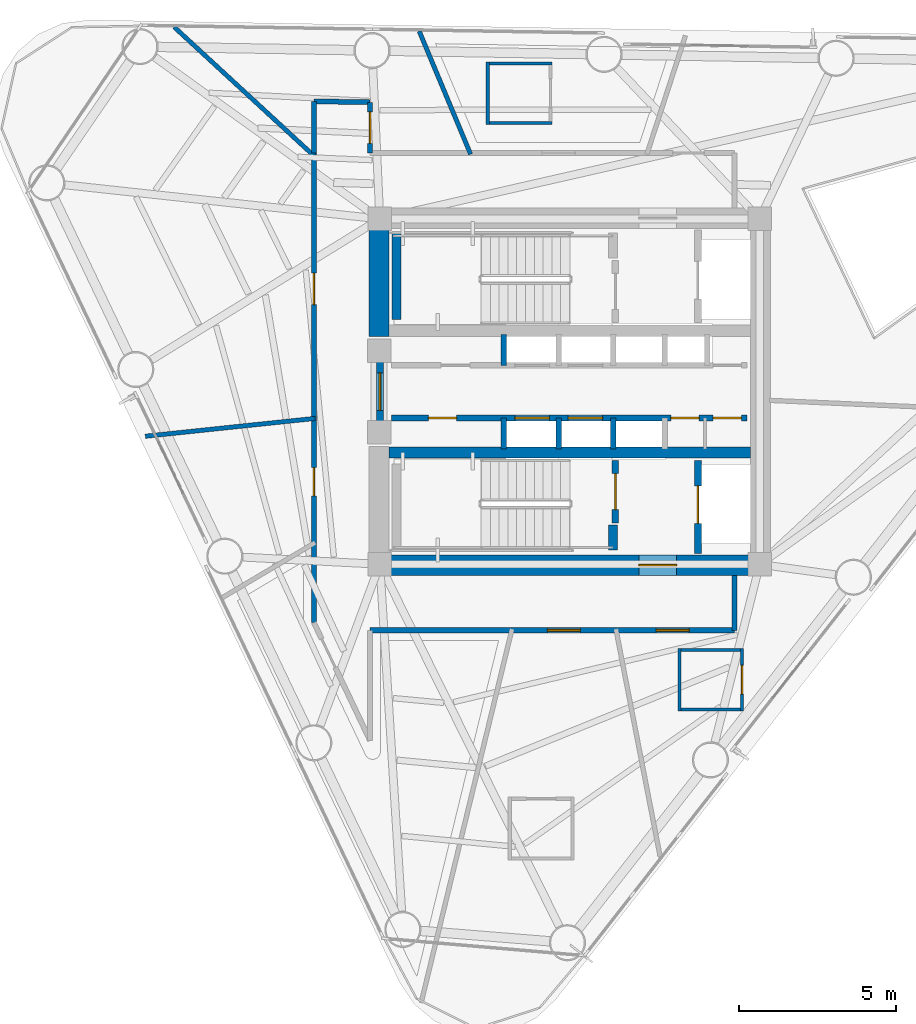
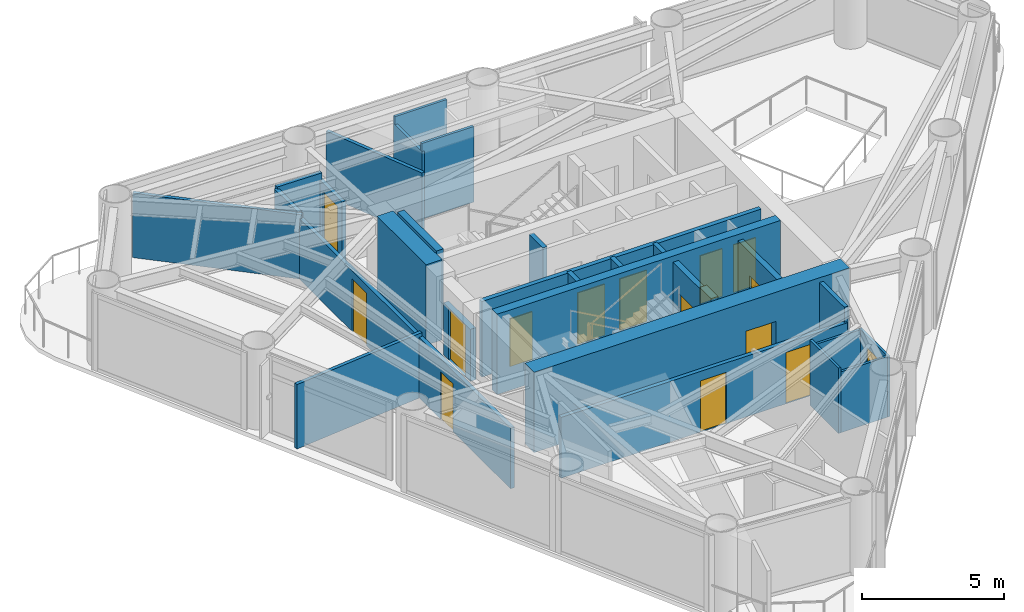
# One storey, part 5 of 9: 29 walls, 15 doors, 15 openings.
"""IFC4 building model written with IfcOpenShell, lengths in metres."""

from ifc_helpers import new_model, si_unit, direction, frame, frame_2d, origin, place, context, subcontext, project, spatial, rectangle, extrude, material, layer, layer_set, type_object, element, fill, save


model = new_model("IFC4")

# Units and contexts
model_context = context("Model", 3, precision=1e-05, world=origin(), true_north=direction((0.0, 1.0)))
body_context = subcontext(model_context, "Body", "Model", "MODEL_VIEW")
ifc_project = project(units=[si_unit("LENGTHUNIT", "METRE"), si_unit("AREAUNIT", "SQUARE_METRE"), si_unit("VOLUMEUNIT", "CUBIC_METRE"), si_unit("PLANEANGLEUNIT", "RADIAN"), si_unit("MASSUNIT", "GRAM", prefix="KILO")], contexts=[model_context])

# Site, building, storey
site_placement = place(None, origin())
site = spatial("IfcSite", under=ifc_project, at=site_placement, CompositionType="ELEMENT")
building_placement = place(site_placement, origin())
building = spatial("IfcBuilding", under=site, at=building_placement, Name="Yunling Apex Tower", CompositionType="ELEMENT")
storey_placement = place(building_placement, frame((0.0, 0.0, 212.14990234375)))
storey = spatial("IfcBuildingStorey", under=building, at=storey_placement, Name="L52", CompositionType="ELEMENT", Elevation=212.14990234375)

# Wall, opening, door
ifc_material_1 = material(Name="Concrete C50", Category="concrete")
ifc_layer_1 = layer(ifc_material_1, 0.64990234375)
ifc_layer_set_1 = layer_set([ifc_layer_1], Name="Concrete C50")
wall_type_1 = type_object("IfcWallType", Name="WL-COR-2", PredefinedType="SHEAR", material=ifc_layer_set_1)
wall_1_placement = place(storey_placement, frame((-6.39990234375, -5.52490234375, 0.0), z_axis=(0.0, 0.0, 1.0), x_axis=(1.0, 0.0, 0.0)))
wall_1 = element("IfcWall", 1, at=wall_1_placement, inside=storey, type_object=wall_type_1, Name="L52 South Core Shear Wall", PredefinedType="SHEAR", context=body_context, shape_type="SweptSolid", body=[
    extrude(rectangle(XDim=12.7998046875, YDim=0.64990234375, at=frame_2d((6.39990234375, 0.0))), origin(), (0.0, 0.0, 1.0), 3.4501953125),
])
opening_1_placement = place(wall_1_placement, frame((8.60009765625, 0.0, 0.0)))
opening_1 = element("IfcOpeningElement", 2, at=opening_1_placement, cuts=wall_1, Name="Opening DR-FFL-1", PredefinedType="OPENING", context=body_context, shape_type="SweptSolid", body=[
    extrude(rectangle(XDim=1.199951171875, YDim=2.199951171875, at=frame_2d((0.60009765625, 1.10009765625))), frame((0.0, 0.3349609375, 0.0), z_axis=(0.0, -1.0, 0.0), x_axis=(1.0, 0.0, 0.0)), (0.0, 0.0, 1.0), 0.669921875),
])
ifc_material_2 = material(Name="Steel Q355B", Category="steel")
door_type_1 = type_object("IfcDoorType", Name="DR-FFL-1", OperationType="NOTDEFINED", PredefinedType="DOOR", material=ifc_material_2)
door_1_placement = place(opening_1_placement, origin())
door_1 = element("IfcDoor", 3, at=door_1_placement, inside=storey, type_object=door_type_1, Name="L52 South Firefighting Lobby Door", OperationType="SINGLE_SWING_RIGHT", OverallHeight=2.199951171875, OverallWidth=1.199951171875, PredefinedType="DOOR", context=body_context, shape_type="SweptSolid", body=[
    extrude(rectangle(XDim=1.199951171875, YDim=2.199951171875, at=frame_2d((0.60009765625, 1.10009765625))), frame((0.0, 0.02490234375, 0.0), z_axis=(0.0, -1.0, 0.0), x_axis=(1.0, 0.0, 0.0)), (0.0, 0.0, 1.0), 0.050048828125),
])
fill(opening_1, door_1)

# Walls
wall_2_placement = place(storey_placement, frame((-6.074951171875, 1.75, 0.0), z_axis=(0.0, 0.0, 1.0), x_axis=(0.0, 1.0, 0.0)))
element("IfcWall", 4, at=wall_2_placement, inside=storey, type_object=wall_type_1, Name="L52 West-North Core Shear Wall", PredefinedType="SHEAR", context=body_context, shape_type="SweptSolid", body=[
    extrude(rectangle(XDim=3.449951171875, YDim=0.64990234375, at=frame_2d((1.72509765625, 0.0))), origin(), (0.0, 0.0, 1.0), 3.4501953125),
])
ifc_material_3 = material(Name="Concrete C40", Category="concrete")
ifc_layer_2 = layer(ifc_material_3, 0.360107421875)
ifc_layer_set_2 = layer_set([ifc_layer_2], Name="Concrete C40")
wall_type_2 = type_object("IfcWallType", Name="WL-COR-4", PredefinedType="SHEAR", material=ifc_layer_set_2)
wall_3_placement = place(storey_placement, frame((-5.75, -1.93994140625, 0.0), z_axis=(0.0, 0.0, 1.0), x_axis=(1.0, 0.0, 0.0)))
element("IfcWall", 5, at=wall_3_placement, inside=storey, type_object=wall_type_2, Name="L52 South Internal Core Shear Wall", PredefinedType="SHEAR", context=body_context, shape_type="SweptSolid", body=[
    extrude(rectangle(XDim=11.5, YDim=0.360107421875, at=frame_2d((5.75, 0.0))), origin(), (0.0, 0.0, 1.0), 3.4501953125),
])
ifc_layer_3 = layer(ifc_material_3, 0.280029296875)
ifc_layer_set_3 = layer_set([ifc_layer_3], Name="Concrete C40")
wall_type_3 = type_object("IfcWallType", Name="WL-COR-8", PredefinedType="SHEAR", material=ifc_layer_set_3)
wall_4_placement = place(storey_placement, frame((-5.52001953125, 2.300048828125, 0.0), z_axis=(0.0, 0.0, 1.0), x_axis=(0.0, 1.0, 0.0)))
element("IfcWall", 6, at=wall_4_placement, inside=storey, type_object=wall_type_3, Name="L52 ST-1 West Landing Bearing Wall", PredefinedType="SHEAR", context=body_context, shape_type="SweptSolid", body=[
    extrude(rectangle(XDim=2.75, YDim=0.280029296875, at=frame_2d((1.375, 0.0))), origin(), (0.0, 0.0, 1.0), 3.4501953125),
])
wall_5_placement = place(storey_placement, frame((1.3798828125, -5.050048828125, 0.0), z_axis=(0.0, 0.0, 1.0), x_axis=(0.0, 1.0, 0.0)))
element("IfcWall", 7, at=wall_5_placement, inside=storey, type_object=wall_type_3, Name="L52 ST-2 East Landing Bearing Pier", PredefinedType="SHEAR", context=body_context, shape_type="SweptSolid", body=[
    extrude(rectangle(XDim=0.800048828125, YDim=0.280029296875, at=frame_2d((0.39990234375, 0.0))), origin(), (0.0, 0.0, 1.0), 3.4501953125),
])

# Wall, openings, doors
ifc_material_4 = material(Name="Gypsum board acoustic partition")
ifc_layer_4 = layer(ifc_material_4, 0.159912109375)
ifc_layer_set_4 = layer_set([ifc_layer_4], Name="Gypsum board acoustic partition")
wall_type_4 = type_object("IfcWallType", Name="WL-PRT-1", PredefinedType="PARTITIONING", material=ifc_layer_set_4)
wall_6_placement = place(storey_placement, frame((-8.14990234375, -7.35546875, 0.0), z_axis=(0.0, 0.0, 1.0), x_axis=(0.0, 1.0, 0.0)))
wall_6 = element("IfcWall", 8, at=wall_6_placement, inside=storey, type_object=wall_type_4, Name="WL-CORR-L52-02", PredefinedType="PARTITIONING", context=body_context, shape_type="SweptSolid", body=[
    extrude(rectangle(XDim=14.95556640625, YDim=0.159912109375, at=frame_2d((7.477783203125, 0.0))), origin(), (0.0, 0.0, 1.0), 2.60498046875),
])
opening_2_placement = place(wall_6_placement, frame((4.0341796875, 0.0, 0.0)))
opening_2 = element("IfcOpeningElement", 9, at=opening_2_placement, cuts=wall_6, Name="Opening DR-SHF-1", PredefinedType="OPENING", context=body_context, shape_type="SweptSolid", body=[
    extrude(rectangle(XDim=0.89990234375, YDim=2.050048828125, at=frame_2d((0.449951171875, 1.02490234375))), frame((0.0, 0.08984375, 0.0), z_axis=(0.0, -1.0, 0.0), x_axis=(1.0, 0.0, 0.0)), (0.0, 0.0, 1.0), 0.179931640625),
])
opening_3_placement = place(wall_6_placement, frame((10.129150390625, 0.0, 0.0)))
opening_3 = element("IfcOpeningElement", 10, at=opening_3_placement, cuts=wall_6, Name="Opening DR-OFF-1", PredefinedType="OPENING", context=body_context, shape_type="SweptSolid", body=[
    extrude(rectangle(XDim=1.0, YDim=2.25, at=frame_2d((0.5, 1.125))), frame((0.0, 0.08984375, 0.0), z_axis=(0.0, -1.0, 0.0), x_axis=(1.0, 0.0, 0.0)), (0.0, 0.0, 1.0), 0.179931640625),
])
ifc_material_5 = material(Name="Bronze anodised aluminium", Category="aluminium")
door_type_2 = type_object("IfcDoorType", Name="DR-OFF-1", OperationType="NOTDEFINED", PredefinedType="DOOR", material=ifc_material_5)
door_2_placement = place(opening_3_placement, origin())
door_2 = element("IfcDoor", 11, at=door_2_placement, inside=storey, type_object=door_type_2, Name="L52 Club Lounge Door", OperationType="SINGLE_SWING_RIGHT", OverallHeight=2.25, OverallWidth=1.0, PredefinedType="DOOR", context=body_context, shape_type="SweptSolid", body=[
    extrude(rectangle(XDim=1.0, YDim=2.25, at=frame_2d((0.5, 1.125))), frame((0.0, 0.02490234375, 0.0), z_axis=(0.0, -1.0, 0.0), x_axis=(1.0, 0.0, 0.0)), (0.0, 0.0, 1.0), 0.050048828125),
])
fill(opening_3, door_2)
door_type_3 = type_object("IfcDoorType", Name="DR-SHF-1", OperationType="NOTDEFINED", PredefinedType="DOOR", material=ifc_material_2)
door_3_placement = place(opening_2_placement, origin())
door_3 = element("IfcDoor", 12, at=door_3_placement, inside=storey, type_object=door_type_3, Name="L52 Housekeeping Room Door", OperationType="SINGLE_SWING_LEFT", OverallHeight=2.050048828125, OverallWidth=0.89990234375, PredefinedType="DOOR", context=body_context, shape_type="SweptSolid", body=[
    extrude(rectangle(XDim=0.89990234375, YDim=2.050048828125, at=frame_2d((0.449951171875, 1.02490234375))), frame((0.0, 0.02490234375, 0.0), z_axis=(0.0, -1.0, 0.0), x_axis=(1.0, 0.0, 0.0)), (0.0, 0.0, 1.0), 0.050048828125),
])
fill(opening_2, door_3)

# Walls
wall_7_placement = place(storey_placement, frame((-8.14990234375, 7.60009765625, 0.0), z_axis=(0.0, 0.0, 1.0), x_axis=(0.0, 1.0, 0.0)))
element("IfcWall", 13, at=wall_7_placement, inside=storey, type_object=wall_type_4, Name="WL-CORR-L52-03", PredefinedType="PARTITIONING", context=body_context, shape_type="SweptSolid", body=[
    extrude(rectangle(XDim=1.646240234375, YDim=0.159912109375, at=frame_2d((0.8232421875, 0.0))), origin(), (0.0, 0.0, 1.0), 2.80517578125),
])
wall_8_placement = place(storey_placement, frame((-8.14990234375, 9.246337890625, 0.0), z_axis=(0.0, 0.0, 1.0), x_axis=(0.999859277964, -0.016775704705, 0.0)))
element("IfcWall", 14, at=wall_8_placement, inside=storey, type_object=wall_type_4, Name="WL-CORR-L52-04", PredefinedType="PARTITIONING", context=body_context, shape_type="SweptSolid", body=[
    extrude(rectangle(XDim=1.7900390625, YDim=0.159912109375, at=frame_2d((0.89501953125, 0.0))), origin(), (0.0, 0.0, 1.0), 2.905029296875),
])

# Wall, opening, door
wall_9_placement = place(storey_placement, frame((-6.360107421875, 9.21630859375, 0.0), z_axis=(0.0, 0.0, 1.0), x_axis=(0.0, -1.0, 0.0)))
wall_9 = element("IfcWall", 15, at=wall_9_placement, inside=storey, type_object=wall_type_4, Name="WL-CORR-L52-05", PredefinedType="PARTITIONING", context=body_context, shape_type="SweptSolid", body=[
    extrude(rectangle(XDim=1.6162109375, YDim=0.159912109375, at=frame_2d((0.80810546875, 0.0))), origin(), (0.0, 0.0, 1.0), 2.60498046875),
])
opening_4_placement = place(wall_9_placement, frame((0.30810546875, 0.0, 0.0)))
opening_4 = element("IfcOpeningElement", 16, at=opening_4_placement, cuts=wall_9, Name="Opening DR-OFF-1", PredefinedType="OPENING", context=body_context, shape_type="SweptSolid", body=[
    extrude(rectangle(XDim=1.0, YDim=2.25, at=frame_2d((0.5, 1.125))), frame((0.0, 0.08984375, 0.0), z_axis=(0.0, -1.0, 0.0), x_axis=(1.0, 0.0, 0.0)), (0.0, 0.0, 1.0), 0.179931640625),
])
door_4_placement = place(opening_4_placement, origin())
door_4 = element("IfcDoor", 17, at=door_4_placement, inside=storey, type_object=door_type_2, Name="L52 Club Lounge Door", OperationType="SINGLE_SWING_LEFT", OverallHeight=2.25, OverallWidth=1.0, PredefinedType="DOOR", context=body_context, shape_type="SweptSolid", body=[
    extrude(rectangle(XDim=1.0, YDim=2.25, at=frame_2d((0.5, 1.125))), frame((0.0, 0.02490234375, 0.0), z_axis=(0.0, -1.0, 0.0), x_axis=(1.0, 0.0, 0.0)), (0.0, 0.0, 1.0), 0.050048828125),
])
fill(opening_4, door_4)

# Wall
wall_10_placement = place(storey_placement, frame((5.25, -5.85009765625, 0.0), z_axis=(0.0, 0.0, 1.0), x_axis=(0.0, -1.0, 0.0)))
element("IfcWall", 18, at=wall_10_placement, inside=storey, type_object=wall_type_4, Name="WL-CORR-L52-08", PredefinedType="PARTITIONING", context=body_context, shape_type="SweptSolid", body=[
    extrude(rectangle(XDim=1.75, YDim=0.159912109375, at=frame_2d((0.875, 0.0))), origin(), (0.0, 0.0, 1.0), 3.25),
])

# Wall, openings, doors
wall_11_placement = place(storey_placement, frame((5.25, -7.60009765625, 0.0), z_axis=(0.0, 0.0, 1.0), x_axis=(-1.0, 0.0, 0.0)))
wall_11 = element("IfcWall", 19, at=wall_11_placement, inside=storey, type_object=wall_type_4, Name="WL-CORR-L52-09", PredefinedType="PARTITIONING", context=body_context, shape_type="SweptSolid", body=[
    extrude(rectangle(XDim=11.610107421875, YDim=0.159912109375, at=frame_2d((5.80517578125, 0.0))), origin(), (0.0, 0.0, 1.0), 2.60498046875),
])
opening_5_placement = place(wall_11_placement, frame((1.447021484375, 0.0, 0.0)))
opening_5 = element("IfcOpeningElement", 20, at=opening_5_placement, cuts=wall_11, Name="Opening DR-FL-1", PredefinedType="OPENING", context=body_context, shape_type="SweptSolid", body=[
    extrude(rectangle(XDim=1.050048828125, YDim=2.199951171875, at=frame_2d((0.52490234375, 1.10009765625))), frame((0.0, 0.08984375, 0.0), z_axis=(0.0, -1.0, 0.0), x_axis=(1.0, 0.0, 0.0)), (0.0, 0.0, 1.0), 0.179931640625),
])
opening_6_placement = place(wall_11_placement, frame((4.91162109375, 0.0, 0.0)))
opening_6 = element("IfcOpeningElement", 21, at=opening_6_placement, cuts=wall_11, Name="Opening DR-FL-1", PredefinedType="OPENING", context=body_context, shape_type="SweptSolid", body=[
    extrude(rectangle(XDim=1.050048828125, YDim=2.199951171875, at=frame_2d((0.52490234375, 1.10009765625))), frame((0.0, 0.08984375, 0.0), z_axis=(0.0, -1.0, 0.0), x_axis=(1.0, 0.0, 0.0)), (0.0, 0.0, 1.0), 0.179931640625),
])
ifc_material_6 = material(Name="Timber fire-rated leaf", Category="wood")
door_type_4 = type_object("IfcDoorType", Name="DR-FL-1", OperationType="NOTDEFINED", PredefinedType="DOOR", material=ifc_material_6)
door_5_placement = place(opening_5_placement, origin())
door_5 = element("IfcDoor", 22, at=door_5_placement, inside=storey, type_object=door_type_4, Name="L52 Hotel Suite Door", OperationType="SINGLE_SWING_RIGHT", OverallHeight=2.199951171875, OverallWidth=1.050048828125, PredefinedType="DOOR", context=body_context, shape_type="SweptSolid", body=[
    extrude(rectangle(XDim=1.050048828125, YDim=2.199951171875, at=frame_2d((0.52490234375, 1.10009765625))), frame((0.0, 0.02490234375, 0.0), z_axis=(0.0, -1.0, 0.0), x_axis=(1.0, 0.0, 0.0)), (0.0, 0.0, 1.0), 0.050048828125),
])
fill(opening_5, door_5)
door_6_placement = place(opening_6_placement, origin())
door_6 = element("IfcDoor", 23, at=door_6_placement, inside=storey, type_object=door_type_4, Name="L52 Hotel Suite Door", OperationType="SINGLE_SWING_LEFT", OverallHeight=2.199951171875, OverallWidth=1.050048828125, PredefinedType="DOOR", context=body_context, shape_type="SweptSolid", body=[
    extrude(rectangle(XDim=1.050048828125, YDim=2.199951171875, at=frame_2d((0.52490234375, 1.10009765625))), frame((0.0, 0.02490234375, 0.0), z_axis=(0.0, -1.0, 0.0), x_axis=(1.0, 0.0, 0.0)), (0.0, 0.0, 1.0), 0.050048828125),
])
fill(opening_6, door_6)

# Walls
ifc_layer_5 = layer(ifc_material_4, 0.139892578125)
ifc_layer_set_5 = layer_set([ifc_layer_5], Name="Gypsum board acoustic partition")
wall_type_5 = type_object("IfcWallType", Name="WL-PRT-2", PredefinedType="PARTITIONING", material=ifc_layer_set_5)
wall_12_placement = place(storey_placement, frame((-3.1572265625, 7.56005859375, 0.0), z_axis=(0.0, 0.0, 1.0), x_axis=(-0.38535788012, 0.922767199368, 0.0)))
element("IfcWall", 24, at=wall_12_placement, inside=storey, type_object=wall_type_5, Name="WL-RAD-L52-03", PredefinedType="PARTITIONING", context=body_context, shape_type="SweptSolid", body=[
    extrude(rectangle(XDim=4.24853515625, YDim=0.139892578125, at=frame_2d((2.124267578125, 0.0))), origin(), (0.0, 0.0, 1.0), 2.76513671875),
])
wall_13_placement = place(storey_placement, frame((-8.110107421875, 7.47509765625, 0.0), z_axis=(0.0, 0.0, 1.0), x_axis=(-0.735323159751, 0.67771664487, 0.0)))
element("IfcWall", 25, at=wall_13_placement, inside=storey, type_object=wall_type_5, Name="WL-RAD-L52-04", PredefinedType="PARTITIONING", context=body_context, shape_type="SweptSolid", body=[
    extrude(rectangle(XDim=6.102783203125, YDim=0.139892578125, at=frame_2d((3.05126953125, 0.0))), origin(), (0.0, 0.0, 1.0), 2.76513671875),
])
wall_14_placement = place(storey_placement, frame((-8.110107421875, -0.852294921875, 0.0), z_axis=(0.0, 0.0, 1.0), x_axis=(-0.994517501458, -0.104570260086, 0.0)))
element("IfcWall", 26, at=wall_14_placement, inside=storey, type_object=wall_type_5, Name="WL-RAD-L52-05", PredefinedType="PARTITIONING", context=body_context, shape_type="SweptSolid", body=[
    extrude(rectangle(XDim=5.4375, YDim=0.139892578125, at=frame_2d((2.71875, 0.0))), origin(), (0.0, 0.0, 1.0), 2.76513671875),
])
ifc_layer_6 = layer(ifc_material_4, 0.10009765625)
ifc_layer_set_6 = layer_set([ifc_layer_6], Name="Gypsum board acoustic partition")
wall_type_6 = type_object("IfcWallType", Name="WL-PRT-4", PredefinedType="PARTITIONING", material=ifc_layer_set_6)
for number, where, z_axis, x_axis, name in (
    (27, (3.43994140625, -8.22802734375, 0.0), (0.0, 0.0, 1.0), (1.0, 0.0, 0.0), "WL-ENS-L52-4N"),
    (28, (5.5400390625, -10.1279296875, 0.0), (0.0, 0.0, 1.0), (-1.0, 0.0, 0.0), "WL-ENS-L52-4S"),
):
    element("IfcWall", number, at=place(storey_placement, frame(where, z_axis=z_axis, x_axis=x_axis)), inside=storey, type_object=wall_type_6, Name=name, PredefinedType="PARTITIONING", context=body_context, shape_type="SweptSolid", body=[
        extrude(rectangle(XDim=2.10009765625, YDim=0.10009765625, at=frame_2d((1.050048828125, 0.0))), origin(), (0.0, 0.0, 1.0), 2.60498046875),
    ])

# Wall, opening, door
wall_15_placement = place(storey_placement, frame((5.489990234375, -8.177978515625, 0.0), z_axis=(0.0, 0.0, 1.0), x_axis=(0.0, -1.0, 0.0)))
wall_15 = element("IfcWall", 29, at=wall_15_placement, inside=storey, type_object=wall_type_6, Name="WL-ENS-L52-4E", PredefinedType="PARTITIONING", context=body_context, shape_type="SweptSolid", body=[
    extrude(rectangle(XDim=2.0, YDim=0.10009765625, at=frame_2d((1.0, 0.0))), origin(), (0.0, 0.0, 1.0), 2.60498046875),
])
opening_7_placement = place(wall_15_placement, frame((0.5400390625, 0.0, 0.0)))
opening_7 = element("IfcOpeningElement", 30, at=opening_7_placement, cuts=wall_15, Name="Opening DR-WC-1", PredefinedType="OPENING", context=body_context, shape_type="SweptSolid", body=[
    extrude(rectangle(XDim=0.919921875, YDim=2.10009765625, at=frame_2d((0.4599609375, 1.050048828125))), frame((0.0, 0.06005859375, 0.0), z_axis=(0.0, -1.0, 0.0), x_axis=(1.0, 0.0, 0.0)), (0.0, 0.0, 1.0), 0.1201171875),
])
ifc_material_7 = material(Name="Timber moisture-resistant leaf", Category="wood")
door_type_5 = type_object("IfcDoorType", Name="DR-WC-1", OperationType="NOTDEFINED", PredefinedType="DOOR", material=ifc_material_7)
door_7_placement = place(opening_7_placement, origin())
door_7 = element("IfcDoor", 31, at=door_7_placement, inside=storey, type_object=door_type_5, Name="L52 En-Suite Door", OperationType="SINGLE_SWING_RIGHT", OverallHeight=2.10009765625, OverallWidth=0.919921875, PredefinedType="DOOR", context=body_context, shape_type="SweptSolid", body=[
    extrude(rectangle(XDim=0.919921875, YDim=2.10009765625, at=frame_2d((0.4599609375, 1.050048828125))), frame((0.0, 0.02490234375, 0.0), z_axis=(0.0, -1.0, 0.0), x_axis=(1.0, 0.0, 0.0)), (0.0, 0.0, 1.0), 0.050048828125),
])
fill(opening_7, door_7)

# Walls
wall_16_placement = place(storey_placement, frame((3.489990234375, -10.177978515625, 0.0), z_axis=(0.0, 0.0, 1.0), x_axis=(0.0, 1.0, 0.0)))
element("IfcWall", 32, at=wall_16_placement, inside=storey, type_object=wall_type_6, Name="WL-ENS-L52-4W", PredefinedType="PARTITIONING", context=body_context, shape_type="SweptSolid", body=[
    extrude(rectangle(XDim=2.0, YDim=0.10009765625, at=frame_2d((1.0, 0.0))), origin(), (0.0, 0.0, 1.0), 2.80517578125),
])
for number, where, z_axis, x_axis, name in (
    (33, (-2.6640625, 10.452880859375, 0.0), (0.0, 0.0, 1.0), (1.0, 0.0, 0.0), "WL-ENS-L52-6N"),
    (34, (-0.56396484375, 8.552978515625, 0.0), (0.0, 0.0, 1.0), (-1.0, 0.0, 0.0), "WL-ENS-L52-6S"),
):
    element("IfcWall", number, at=place(storey_placement, frame(where, z_axis=z_axis, x_axis=x_axis)), inside=storey, type_object=wall_type_6, Name=name, PredefinedType="PARTITIONING", context=body_context, shape_type="SweptSolid", body=[
        extrude(rectangle(XDim=2.10009765625, YDim=0.10009765625, at=frame_2d((1.050048828125, 0.0))), origin(), (0.0, 0.0, 1.0), 3.25),
    ])
wall_17_placement = place(storey_placement, frame((-2.614013671875, 8.5029296875, 0.0), z_axis=(0.0, 0.0, 1.0), x_axis=(0.0, 1.0, 0.0)))
element("IfcWall", 35, at=wall_17_placement, inside=storey, type_object=wall_type_6, Name="WL-ENS-L52-6W", PredefinedType="PARTITIONING", context=body_context, shape_type="SweptSolid", body=[
    extrude(rectangle(XDim=2.0, YDim=0.10009765625, at=frame_2d((1.0, 0.0))), origin(), (0.0, 0.0, 1.0), 2.905029296875),
])

# Wall, opening, door
ifc_material_8 = material(Name="Autoclaved aerated concrete masonry", Category="masonry")
ifc_layer_7 = layer(ifc_material_8, 0.219970703125)
ifc_layer_set_7 = layer_set([ifc_layer_7], Name="Autoclaved aerated concrete masonry")
wall_type_7 = type_object("IfcWallType", Name="WL-SHF-1", PredefinedType="PLUMBINGWALL", material=ifc_layer_set_7)
wall_18_placement = place(storey_placement, frame((-6.050048828125, -0.949951171875, 0.0), z_axis=(0.0, 0.0, 1.0), x_axis=(0.0, 1.0, 0.0)))
wall_18 = element("IfcWall", 36, at=wall_18_placement, inside=storey, type_object=wall_type_7, Name="WL-COR-WPORT-L52", PredefinedType="PLUMBINGWALL", context=body_context, shape_type="SweptSolid", body=[
    extrude(rectangle(XDim=1.89990234375, YDim=0.219970703125, at=frame_2d((0.949951171875, 0.0))), origin(), (0.0, 0.0, 1.0), 2.22998046875),
])
opening_8_placement = place(wall_18_placement, frame((0.35009765625, 0.0, 0.0)))
opening_8 = element("IfcOpeningElement", 37, at=opening_8_placement, cuts=wall_18, Name="Opening DR-FFL-1", PredefinedType="OPENING", context=body_context, shape_type="SweptSolid", body=[
    extrude(rectangle(XDim=1.199951171875, YDim=2.199951171875, at=frame_2d((0.60009765625, 1.10009765625))), frame((0.0, 0.1201171875, 0.0), z_axis=(0.0, -1.0, 0.0), x_axis=(1.0, 0.0, 0.0)), (0.0, 0.0, 1.0), 0.239990234375),
])
door_8_placement = place(opening_8_placement, origin())
door_8 = element("IfcDoor", 38, at=door_8_placement, inside=storey, type_object=door_type_1, Name="L52 Passenger Lift Lobby Entrance Door", OperationType="SINGLE_SWING_LEFT", OverallHeight=2.199951171875, OverallWidth=1.199951171875, PredefinedType="DOOR", context=body_context, shape_type="SweptSolid", body=[
    extrude(rectangle(XDim=1.199951171875, YDim=2.199951171875, at=frame_2d((0.60009765625, 1.10009765625))), frame((0.0, 0.02490234375, 0.0), z_axis=(0.0, -1.0, 0.0), x_axis=(1.0, 0.0, 0.0)), (0.0, 0.0, 1.0), 0.050048828125),
])
fill(opening_8, door_8)

wall_19_placement = place(storey_placement, frame((1.449951171875, -4.179931640625, 0.0), z_axis=(0.0, 0.0, 1.0), x_axis=(0.0, 1.0, 0.0)))
wall_19 = element("IfcWall", 39, at=wall_19_placement, inside=storey, type_object=wall_type_7, Name="WL-ST2-E-L52", PredefinedType="PLUMBINGWALL", context=body_context, shape_type="SweptSolid", body=[
    extrude(rectangle(XDim=1.97998046875, YDim=0.219970703125, at=frame_2d((0.989990234375, 0.0))), origin(), (0.0, 0.0, 1.0), 3.25),
])
opening_9_placement = place(wall_19_placement, frame((0.419921875, 0.0, 0.0)))
opening_9 = element("IfcOpeningElement", 40, at=opening_9_placement, cuts=wall_19, Name="Opening DR-ST-1", PredefinedType="OPENING", context=body_context, shape_type="SweptSolid", body=[
    extrude(rectangle(XDim=1.14990234375, YDim=2.14990234375, at=frame_2d((0.574951171875, 1.074951171875))), frame((0.0, 0.1201171875, 0.0), z_axis=(0.0, -1.0, 0.0), x_axis=(1.0, 0.0, 0.0)), (0.0, 0.0, 1.0), 0.239990234375),
])
door_type_6 = type_object("IfcDoorType", Name="DR-ST-1", OperationType="NOTDEFINED", PredefinedType="DOOR", material=ifc_material_2)
door_9_placement = place(opening_9_placement, origin())
door_9 = element("IfcDoor", 41, at=door_9_placement, inside=storey, type_object=door_type_6, Name="L52 Stair ST-2 Fire Door", OperationType="SINGLE_SWING_LEFT", OverallHeight=2.14990234375, OverallWidth=1.14990234375, PredefinedType="DOOR", context=body_context, shape_type="SweptSolid", body=[
    extrude(rectangle(XDim=1.14990234375, YDim=2.14990234375, at=frame_2d((0.574951171875, 1.074951171875))), frame((0.0, 0.02490234375, 0.0), z_axis=(0.0, -1.0, 0.0), x_axis=(1.0, 0.0, 0.0)), (0.0, 0.0, 1.0), 0.050048828125),
])
fill(opening_9, door_9)

wall_20_placement = place(storey_placement, frame((4.080078125, -5.14990234375, 0.0), z_axis=(0.0, 0.0, 1.0), x_axis=(0.0, 1.0, 0.0)))
wall_20 = element("IfcWall", 42, at=wall_20_placement, inside=storey, type_object=wall_type_7, Name="WL-FFL2-W-L52", PredefinedType="PLUMBINGWALL", context=body_context, shape_type="SweptSolid", body=[
    extrude(rectangle(XDim=2.949951171875, YDim=0.219970703125, at=frame_2d((1.47509765625, 0.0))), origin(), (0.0, 0.0, 1.0), 3.25),
])
opening_10_placement = place(wall_20_placement, frame((0.949951171875, 0.0, 0.0)))
opening_10 = element("IfcOpeningElement", 43, at=opening_10_placement, cuts=wall_20, Name="Opening LD-FFL-1", PredefinedType="OPENING", context=body_context, shape_type="SweptSolid", body=[
    extrude(rectangle(XDim=1.199951171875, YDim=2.25, at=frame_2d((0.60009765625, 1.125))), frame((0.0, 0.1201171875, 0.0), z_axis=(0.0, -1.0, 0.0), x_axis=(1.0, 0.0, 0.0)), (0.0, 0.0, 1.0), 0.239990234375),
])
door_type_7 = type_object("IfcDoorType", Name="LD-FFL-1", OperationType="DOUBLE_DOOR_SLIDING", PredefinedType="DOOR", material=ifc_material_2)
door_10_placement = place(opening_10_placement, origin())
door_10 = element("IfcDoor", 44, at=door_10_placement, inside=storey, type_object=door_type_7, Name="L52 Lift FFL-2 Landing Door", OperationType="DOUBLE_DOOR_SLIDING", OverallHeight=2.25, OverallWidth=1.199951171875, PredefinedType="DOOR", context=body_context, shape_type="SweptSolid", body=[
    extrude(rectangle(XDim=1.199951171875, YDim=2.25, at=frame_2d((0.60009765625, 1.125))), frame((0.0, 0.02490234375, 0.0), z_axis=(0.0, -1.0, 0.0), x_axis=(1.0, 0.0, 0.0)), (0.0, 0.0, 1.0), 0.050048828125),
])
fill(opening_10, door_10)

# Walls
ifc_layer_8 = layer(ifc_material_8, 0.179931640625)
ifc_layer_set_8 = layer_set([ifc_layer_8], Name="Autoclaved aerated concrete masonry")
wall_type_8 = type_object("IfcWallType", Name="WL-SHF-2", PredefinedType="PLUMBINGWALL", material=ifc_layer_set_8)
for number, where, z_axis, x_axis, name in (
    (45, (-2.10009765625, 0.840087890625, 0.0), (0.0, 0.0, 1.0), (0.0, 1.0, 0.0), "WL-BNK-LM-N-L52"),
    (46, (-2.10009765625, -1.820068359375, 0.0), (0.0, 0.0, 1.0), (0.0, 1.0, 0.0), "WL-BNK-LM-S-L52"),
    (47, (-0.35009765625, -1.820068359375, 0.0), (0.0, 0.0, 1.0), (0.0, 1.0, 0.0), "WL-DIV-M34-L52"),
    (48, (1.3798828125, -1.820068359375, 0.0), (0.0, 0.0, 1.0), (0.0, 1.0, 0.0), "WL-BNK-MH-S-L52"),
):
    element("IfcWall", number, at=place(storey_placement, frame(where, z_axis=z_axis, x_axis=x_axis)), inside=storey, type_object=wall_type_8, Name=name, PredefinedType="PLUMBINGWALL", context=body_context, shape_type="SweptSolid", body=[
        extrude(rectangle(XDim=0.97998046875, YDim=0.179931640625, at=frame_2d((0.489990234375, 0.0))), origin(), (0.0, 0.0, 1.0), 3.25),
    ])

# Wall, openings, doors
wall_21_placement = place(storey_placement, frame((-5.679931640625, -0.840087890625, 0.0), z_axis=(0.0, 0.0, 1.0), x_axis=(1.0, 0.0, 0.0)))
wall_21 = element("IfcWall", 49, at=wall_21_placement, inside=storey, type_object=wall_type_8, Name="WL-LOB-S-L52", PredefinedType="PLUMBINGWALL", context=body_context, shape_type="SweptSolid", body=[
    extrude(rectangle(XDim=11.329833984375, YDim=0.179931640625, at=frame_2d((5.6650390625, 0.0))), origin(), (0.0, 0.0, 1.0), 3.25),
])
opening_11_placement = place(wall_21_placement, frame((1.179931640625, 0.0, 0.0)))
opening_11 = element("IfcOpeningElement", 50, at=opening_11_placement, cuts=wall_21, Name="Opening DR-SHF-1", PredefinedType="OPENING", context=body_context, shape_type="SweptSolid", body=[
    extrude(rectangle(XDim=0.89990234375, YDim=2.050048828125, at=frame_2d((0.449951171875, 1.02490234375))), frame((0.0, 0.10009765625, 0.0), z_axis=(0.0, -1.0, 0.0), x_axis=(1.0, 0.0, 0.0)), (0.0, 0.0, 1.0), 0.199951171875),
])
opening_12_placement = place(wall_21_placement, frame((3.929931640625, 0.0, 0.0)))
opening_12 = element("IfcOpeningElement", 51, at=opening_12_placement, cuts=wall_21, Name="Opening LD-PAS-1", PredefinedType="OPENING", context=body_context, shape_type="SweptSolid", body=[
    extrude(rectangle(XDim=1.10009765625, YDim=2.199951171875, at=frame_2d((0.550048828125, 1.10009765625))), frame((0.0, 0.10009765625, 0.0), z_axis=(0.0, -1.0, 0.0), x_axis=(1.0, 0.0, 0.0)), (0.0, 0.0, 1.0), 0.199951171875),
])
opening_13_placement = place(wall_21_placement, frame((5.6298828125, 0.0, 0.0)))
opening_13 = element("IfcOpeningElement", 52, at=opening_13_placement, cuts=wall_21, Name="Opening LD-PAS-1", PredefinedType="OPENING", context=body_context, shape_type="SweptSolid", body=[
    extrude(rectangle(XDim=1.10009765625, YDim=2.199951171875, at=frame_2d((0.550048828125, 1.10009765625))), frame((0.0, 0.10009765625, 0.0), z_axis=(0.0, -1.0, 0.0), x_axis=(1.0, 0.0, 0.0)), (0.0, 0.0, 1.0), 0.199951171875),
])
opening_14_placement = place(wall_21_placement, frame((8.89990234375, 0.0, 0.0)))
opening_14 = element("IfcOpeningElement", 53, at=opening_14_placement, cuts=wall_21, Name="Opening DR-SHF-1", PredefinedType="OPENING", context=body_context, shape_type="SweptSolid", body=[
    extrude(rectangle(XDim=0.89990234375, YDim=2.050048828125, at=frame_2d((0.449951171875, 1.02490234375))), frame((0.0, 0.10009765625, 0.0), z_axis=(0.0, -1.0, 0.0), x_axis=(1.0, 0.0, 0.0)), (0.0, 0.0, 1.0), 0.199951171875),
])
opening_15_placement = place(wall_21_placement, frame((10.25, 0.0, 0.0)))
opening_15 = element("IfcOpeningElement", 54, at=opening_15_placement, cuts=wall_21, Name="Opening DR-SHF-1", PredefinedType="OPENING", context=body_context, shape_type="SweptSolid", body=[
    extrude(rectangle(XDim=0.89990234375, YDim=2.050048828125, at=frame_2d((0.449951171875, 1.02490234375))), frame((0.0, 0.10009765625, 0.0), z_axis=(0.0, -1.0, 0.0), x_axis=(1.0, 0.0, 0.0)), (0.0, 0.0, 1.0), 0.199951171875),
])
door_11_placement = place(opening_11_placement, origin())
door_11 = element("IfcDoor", 55, at=door_11_placement, inside=storey, type_object=door_type_3, Name="L52 Archive Store Door", OperationType="SINGLE_SWING_RIGHT", OverallHeight=2.050048828125, OverallWidth=0.89990234375, PredefinedType="DOOR", context=body_context, shape_type="SweptSolid", body=[
    extrude(rectangle(XDim=0.89990234375, YDim=2.050048828125, at=frame_2d((0.449951171875, 1.02490234375))), frame((0.0, 0.02490234375, 0.0), z_axis=(0.0, -1.0, 0.0), x_axis=(1.0, 0.0, 0.0)), (0.0, 0.0, 1.0), 0.050048828125),
])
fill(opening_11, door_11)
door_12_placement = place(opening_14_placement, origin())
door_12 = element("IfcDoor", 56, at=door_12_placement, inside=storey, type_object=door_type_3, Name="L52 LV Closet Door", OperationType="SINGLE_SWING_LEFT", OverallHeight=2.050048828125, OverallWidth=0.89990234375, PredefinedType="DOOR", context=body_context, shape_type="SweptSolid", body=[
    extrude(rectangle(XDim=0.89990234375, YDim=2.050048828125, at=frame_2d((0.449951171875, 1.02490234375))), frame((0.0, 0.02490234375, 0.0), z_axis=(0.0, -1.0, 0.0), x_axis=(1.0, 0.0, 0.0)), (0.0, 0.0, 1.0), 0.050048828125),
])
fill(opening_14, door_12)
door_13_placement = place(opening_15_placement, origin())
door_13 = element("IfcDoor", 57, at=door_13_placement, inside=storey, type_object=door_type_3, Name="L52 Standpipe Closet Door", OperationType="SINGLE_SWING_RIGHT", OverallHeight=2.050048828125, OverallWidth=0.89990234375, PredefinedType="DOOR", context=body_context, shape_type="SweptSolid", body=[
    extrude(rectangle(XDim=0.89990234375, YDim=2.050048828125, at=frame_2d((0.449951171875, 1.02490234375))), frame((0.0, 0.02490234375, 0.0), z_axis=(0.0, -1.0, 0.0), x_axis=(1.0, 0.0, 0.0)), (0.0, 0.0, 1.0), 0.050048828125),
])
fill(opening_15, door_13)
ifc_material_9 = material(Name="Silver anodised aluminium", Category="aluminium")
door_type_8 = type_object("IfcDoorType", Name="LD-PAS-1", OperationType="DOUBLE_DOOR_SLIDING", PredefinedType="DOOR", material=ifc_material_9)
door_14_placement = place(opening_12_placement, origin())
door_14 = element("IfcDoor", 58, at=door_14_placement, inside=storey, type_object=door_type_8, Name="L52 Lift PL-M3 Landing Door", OperationType="DOUBLE_DOOR_SLIDING", OverallHeight=2.199951171875, OverallWidth=1.10009765625, PredefinedType="DOOR", context=body_context, shape_type="SweptSolid", body=[
    extrude(rectangle(XDim=1.10009765625, YDim=2.199951171875, at=frame_2d((0.550048828125, 1.10009765625))), frame((0.0, 0.02490234375, 0.0), z_axis=(0.0, -1.0, 0.0), x_axis=(1.0, 0.0, 0.0)), (0.0, 0.0, 1.0), 0.050048828125),
])
fill(opening_12, door_14)
door_15_placement = place(opening_13_placement, origin())
door_15 = element("IfcDoor", 59, at=door_15_placement, inside=storey, type_object=door_type_8, Name="L52 Lift PL-M4 Landing Door", OperationType="DOUBLE_DOOR_SLIDING", OverallHeight=2.199951171875, OverallWidth=1.10009765625, PredefinedType="DOOR", context=body_context, shape_type="SweptSolid", body=[
    extrude(rectangle(XDim=1.10009765625, YDim=2.199951171875, at=frame_2d((0.550048828125, 1.10009765625))), frame((0.0, 0.02490234375, 0.0), z_axis=(0.0, -1.0, 0.0), x_axis=(1.0, 0.0, 0.0)), (0.0, 0.0, 1.0), 0.050048828125),
])
fill(opening_13, door_15)

save(model, "model.ifc")
